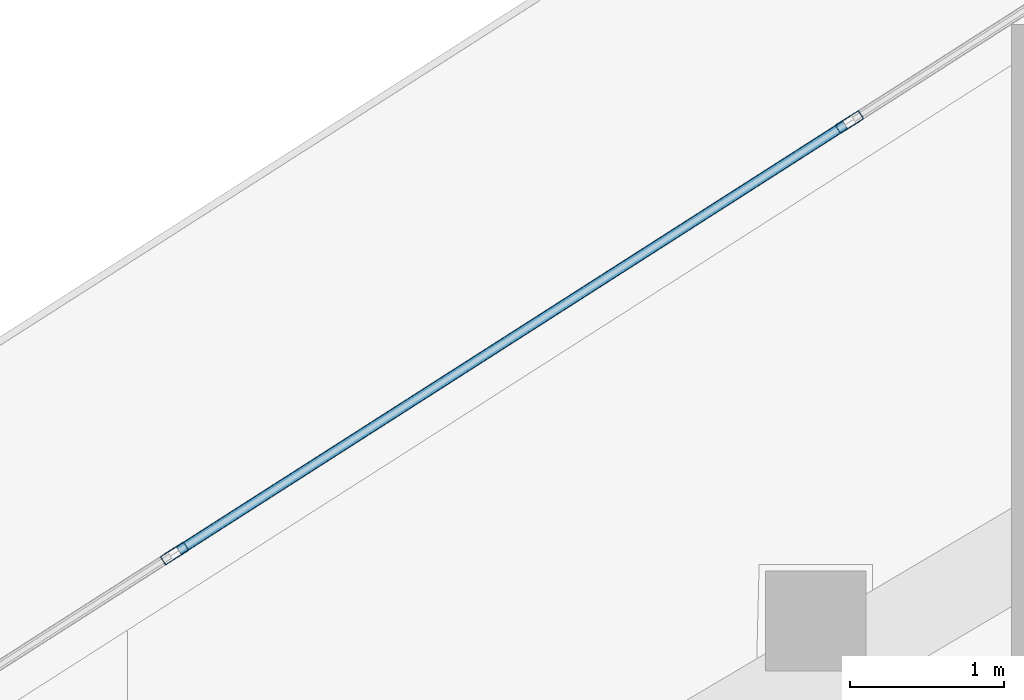
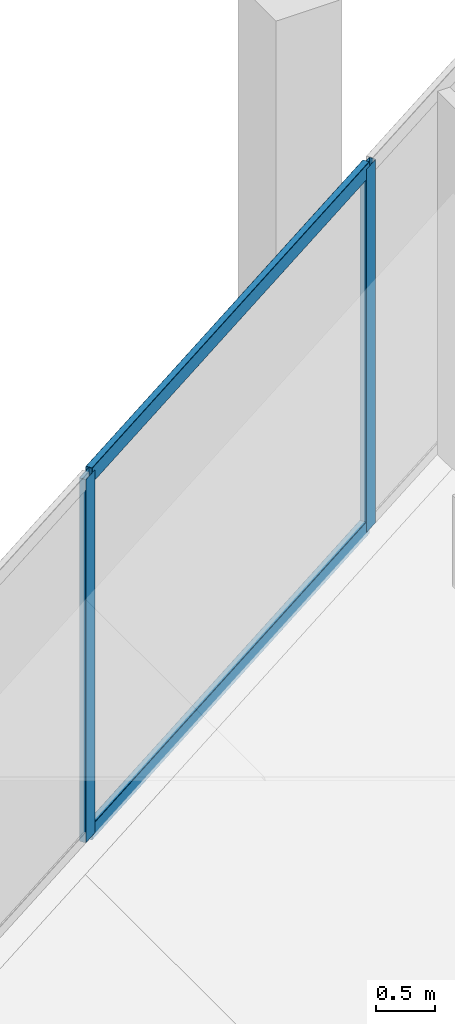
# One storey, part 15 of 35: 4 members, 1 element without a shape of its own.
"""IFC4 building model written with IfcOpenShell, lengths in metres."""

from ifc_helpers import new_model, si_unit, direction, frame, origin, origin_2d, place, context, subcontext, project, spatial, hollow_rectangle, extrude, material, layer, layer_set, material_profile, profile_set, type_object, element, aggregate, save


model = new_model("IFC4")

# Units and contexts
model_context = context("Model", 3, precision=1e-05, world=origin(), true_north=direction((0.0, 1.0)))
body_context = subcontext(model_context, "Body", "Model", "MODEL_VIEW")
ifc_project = project(units=[si_unit("LENGTHUNIT", "METRE"), si_unit("AREAUNIT", "SQUARE_METRE"), si_unit("VOLUMEUNIT", "CUBIC_METRE"), si_unit("PLANEANGLEUNIT", "RADIAN"), si_unit("MASSUNIT", "GRAM", prefix="KILO")], contexts=[model_context])

# Site, building, storey
site_placement = place(None, origin())
site = spatial("IfcSite", under=ifc_project, at=site_placement, CompositionType="ELEMENT")
building_placement = place(site_placement, origin())
building = spatial("IfcBuilding", under=site, at=building_placement, Name="Qorvath Tower", CompositionType="ELEMENT")
storey_placement = place(building_placement, frame((0.0, 0.0, 166.5)))
storey = spatial("IfcBuildingStorey", under=building, at=storey_placement, Name="L38", CompositionType="ELEMENT", Elevation=166.5)

# Curtain wall, members
ifc_material_1 = material(Name="Anodised aluminium and triple low-E glass", Category="aluminium")
ifc_layer = layer(ifc_material_1, 0.179931640625)
ifc_layer_set = layer_set([ifc_layer], Name="CW-SYS-3")
curtain_wall_type = type_object("IfcCurtainWallType", Name="CW-SYS-3", PredefinedType="NOTDEFINED", material=ifc_layer_set)
curtain_wall_placement = place(storey_placement, origin())
curtain_wall = element("IfcCurtainWall", 1, at=curtain_wall_placement, inside=storey, type_object=curtain_wall_type, Name="Curtain Wall CW-3 CW-T-L38-16.2", PredefinedType="NOTDEFINED")
ifc_material_2 = material(Name="Anodised aluminium 6063-T6", Category="aluminium")
ifc_material_profile_1 = material_profile(ifc_material_2, hollow_rectangle(XDim=0.06494140625, YDim=0.179931640625, WallThickness=0.00341796875, InnerFilletRadius=0.00341796875, OuterFilletRadius=0.007080078125, at=origin_2d()), Name="CWM 180x65")
ifc_profile_set_1 = profile_set([ifc_material_profile_1], Name="Anodised aluminium 6063-T6")
member_type_1 = type_object("IfcMemberType", Name="CWM-180", PredefinedType="MULLION", material=ifc_profile_set_1)
member_1_placement = place(storey_placement, frame((-35.762451171875, 16.61669921875, 0.0), z_axis=(0.0, 0.0, 1.0), x_axis=(0.538537129711, -0.842601780156, 0.0)))
member_1 = element("IfcMember", 2, at=member_1_placement, type_object=member_type_1, Name="CW-3 mullion 2", PredefinedType="MULLION", context=body_context, shape_type="SweptSolid", body=[
    extrude(hollow_rectangle(XDim=0.06494140625, YDim=0.179931640625, WallThickness=0.00341796875, InnerFilletRadius=0.00341796875, OuterFilletRadius=0.007080078125, at=origin_2d()), origin(), (0.0, 0.0, 1.0), 3.780029296875),
])
member_2_placement = place(storey_placement, frame((-40.13916015625, 13.8193359375, 0.0), z_axis=(0.0, 0.0, 1.0), x_axis=(0.538537129711, -0.842601780156, 0.0)))
member_2 = element("IfcMember", 3, at=member_2_placement, type_object=member_type_1, Name="CW-3 mullion 3", PredefinedType="MULLION", context=body_context, shape_type="SweptSolid", body=[
    extrude(hollow_rectangle(XDim=0.06494140625, YDim=0.179931640625, WallThickness=0.00341796875, InnerFilletRadius=0.00341796875, OuterFilletRadius=0.007080078125, at=origin_2d()), origin(), (0.0, 0.0, 1.0), 3.780029296875),
])
ifc_material_3 = material(Name="Anodised aluminium 6063-T6", Category="aluminium")
ifc_material_profile_2 = material_profile(ifc_material_3, hollow_rectangle(XDim=0.06494140625, YDim=0.159912109375, WallThickness=0.00341796875, InnerFilletRadius=0.00341796875, OuterFilletRadius=0.007080078125, at=origin_2d()), Name="CWT 160x65")
ifc_profile_set_2 = profile_set([ifc_material_profile_2], Name="Anodised aluminium 6063-T6")
member_type_2 = type_object("IfcMemberType", Name="CWT-160", PredefinedType="USERDEFINED", material=ifc_profile_set_2)
member_3_placement = place(storey_placement, frame((-35.7900390625, 16.59912109375, 0.032470703125), z_axis=(-0.842587659924, -0.538559221761, 0.0), x_axis=(0.538559221761, -0.842587659924, 0.0)))
member_3 = element("IfcMember", 4, at=member_3_placement, type_object=member_type_2, Name="CW-3 transom 2.1", ObjectType="TRANSOM", PredefinedType="USERDEFINED", context=body_context, shape_type="SweptSolid", body=[
    extrude(hollow_rectangle(XDim=0.06494140625, YDim=0.159912109375, WallThickness=0.00341796875, InnerFilletRadius=0.00341796875, OuterFilletRadius=0.007080078125, at=origin_2d()), origin(), (0.0, 0.0, 1.0), 5.12890625),
])
member_4_placement = place(storey_placement, frame((-35.7900390625, 16.59912109375, 3.74755859375), z_axis=(-0.842587659924, -0.538559221761, 0.0), x_axis=(0.538559221761, -0.842587659924, 0.0)))
member_4 = element("IfcMember", 5, at=member_4_placement, type_object=member_type_2, Name="CW-3 transom 2.2", ObjectType="TRANSOM", PredefinedType="USERDEFINED", context=body_context, shape_type="SweptSolid", body=[
    extrude(hollow_rectangle(XDim=0.06494140625, YDim=0.159912109375, WallThickness=0.00341796875, InnerFilletRadius=0.00341796875, OuterFilletRadius=0.007080078125, at=origin_2d()), origin(), (0.0, 0.0, 1.0), 5.12890625),
])
aggregate(curtain_wall, [member_1, member_2, member_3, member_4])

save(model, "model.ifc")
